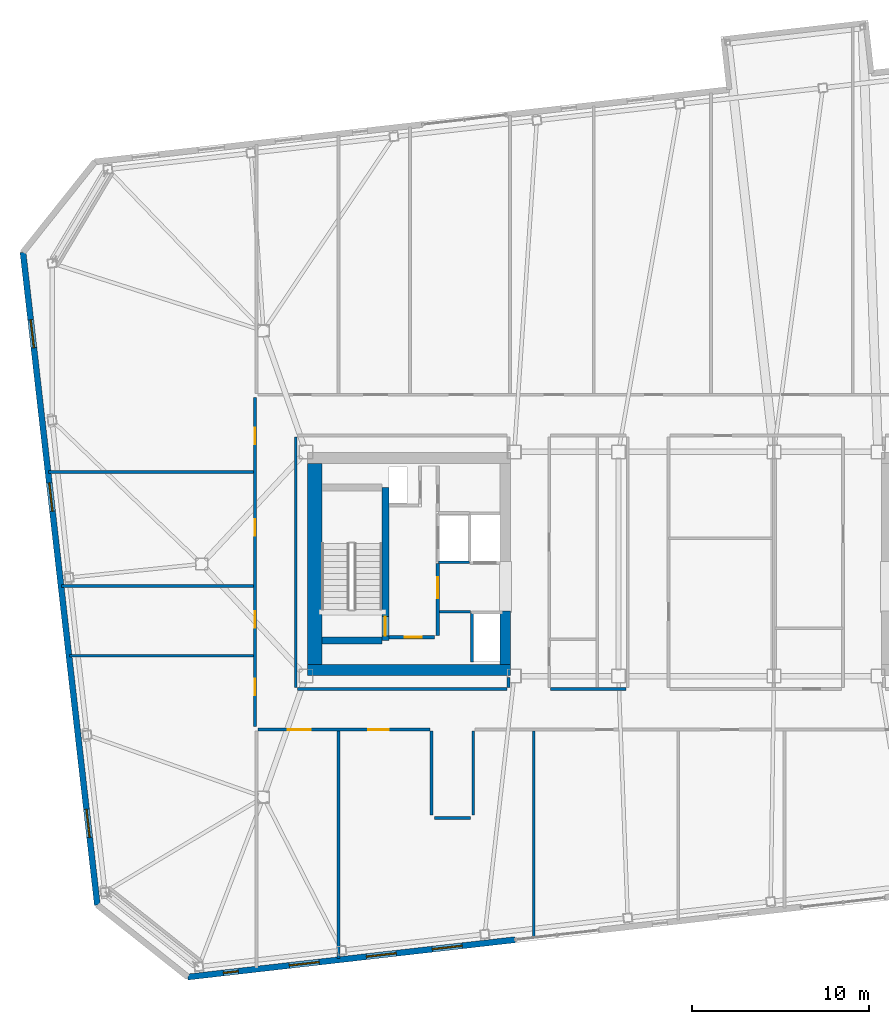
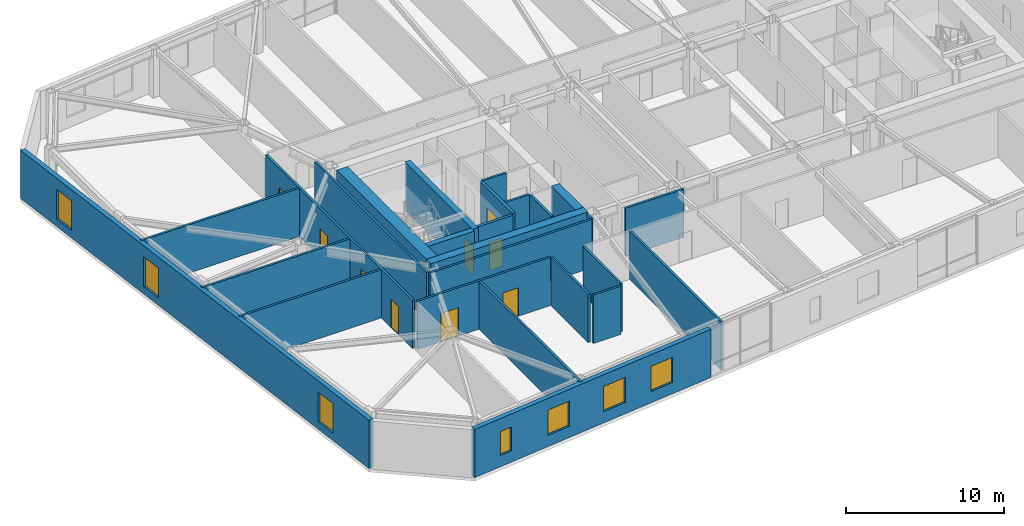
# One storey, part 12 of 19: 26 walls, 9 doors, 7 windows, 16 openings.
"""IFC4 building model written with IfcOpenShell, lengths in metres."""

from ifc_helpers import new_model, si_unit, direction, frame, frame_2d, origin, place, context, subcontext, project, spatial, rectangle, extrude, material, layer, layer_set, type_object, element, fill, save


model = new_model("IFC4")

# Units and contexts
model_context = context("Model", 3, precision=1e-05, world=origin(), true_north=direction((0.0, 1.0)))
body_context = subcontext(model_context, "Body", "Model", "MODEL_VIEW")
ifc_project = project(units=[si_unit("LENGTHUNIT", "METRE"), si_unit("AREAUNIT", "SQUARE_METRE"), si_unit("VOLUMEUNIT", "CUBIC_METRE"), si_unit("PLANEANGLEUNIT", "RADIAN"), si_unit("MASSUNIT", "GRAM", prefix="KILO")], contexts=[model_context])

# Site, building, storey
site_placement = place(None, origin())
site = spatial("IfcSite", under=ifc_project, at=site_placement, CompositionType="ELEMENT")
building_placement = place(site_placement, origin())
building = spatial("IfcBuilding", under=site, at=building_placement, Name="Tavrogorsk Clinical Tower", CompositionType="ELEMENT")
storey_placement = place(building_placement, frame((0.0, 0.0, 243.0)))
storey = spatial("IfcBuildingStorey", under=building, at=storey_placement, Name="L56", CompositionType="ELEMENT", Elevation=243.0)

# Wall, opening, door
ifc_material_1 = material(Name="Concrete B60", Category="concrete")
ifc_layer_1 = layer(ifc_material_1, 0.199951171875)
ifc_layer_set_1 = layer_set([ifc_layer_1], Name="Concrete B60")
wall_type_1 = type_object("IfcWallType", Name="CoreFireWall_200", PredefinedType="SOLIDWALL", material=ifc_layer_set_1)
wall_1_placement = place(storey_placement, frame((-17.3798828125, -4.139892578125, 0.0), z_axis=(0.0, 0.0, 1.0), x_axis=(1.0, 0.0, 0.0)))
wall_1 = element("IfcWall", 1, at=wall_1_placement, inside=storey, type_object=wall_type_1, Name="L56 Core West South Core Room Fire Wall", PredefinedType="SOLIDWALL", context=body_context, shape_type="SweptSolid", body=[
    extrude(rectangle(XDim=2.554931640625, YDim=0.199951171875, at=frame_2d((1.27734375, 0.0))), origin(), (0.0, 0.0, 1.0), 3.739990234375),
])
opening_1_placement = place(wall_1_placement, frame((0.8798828125, 0.0, 0.0)))
opening_1 = element("IfcOpeningElement", 2, at=opening_1_placement, cuts=wall_1, Name="Opening ID-02", PredefinedType="OPENING", context=body_context, shape_type="SweptSolid", body=[
    extrude(rectangle(XDim=0.949951171875, YDim=2.199951171875, at=frame_2d((0.47509765625, 1.10009765625))), frame((0.0, 0.10986328125, 0.0), z_axis=(0.0, -1.0, 0.0), x_axis=(1.0, 0.0, 0.0)), (0.0, 0.0, 1.0), 0.219970703125),
])
ifc_material_2 = material(Name="Laminated timber leaf on aluminium frame", Category="wood")
door_type_1 = type_object("IfcDoorType", Name="InteriorDoor_ID02_950", OperationType="NOTDEFINED", PredefinedType="DOOR", material=ifc_material_2)
door_1_placement = place(opening_1_placement, origin())
door_1 = element("IfcDoor", 3, at=door_1_placement, inside=storey, type_object=door_type_1, Name="L56 Core West South Core Room Door", OperationType="SINGLE_SWING_RIGHT", OverallHeight=2.199951171875, OverallWidth=0.949951171875, PredefinedType="DOOR", context=body_context, shape_type="SweptSolid", body=[
    extrude(rectangle(XDim=0.949951171875, YDim=2.199951171875, at=frame_2d((0.47509765625, 1.10009765625))), frame((0.0, 0.02490234375, 0.0), z_axis=(0.0, -1.0, 0.0), x_axis=(1.0, 0.0, 0.0)), (0.0, 0.0, 1.0), 0.050048828125),
])
fill(opening_1, door_1)

wall_2_placement = place(storey_placement, frame((-14.639892578125, -4.034912109375, 0.0), z_axis=(0.0, 0.0, 1.0), x_axis=(0.0, 1.0, 0.0)))
wall_2 = element("IfcWall", 4, at=wall_2_placement, inside=storey, type_object=wall_type_1, Name="L56 Core West Firefighting Lobby Fire Wall", PredefinedType="SOLIDWALL", context=body_context, shape_type="SweptSolid", body=[
    extrude(rectangle(XDim=4.074951171875, YDim=0.199951171875, at=frame_2d((2.03759765625, 0.0))), origin(), (0.0, 0.0, 1.0), 3.739990234375),
])
opening_2_placement = place(wall_2_placement, frame((2.090087890625, 0.0, 0.0)))
opening_2 = element("IfcOpeningElement", 5, at=opening_2_placement, cuts=wall_2, Name="Opening FD-01", PredefinedType="OPENING", context=body_context, shape_type="SweptSolid", body=[
    extrude(rectangle(XDim=1.199951171875, YDim=2.199951171875, at=frame_2d((0.60009765625, 1.10009765625))), frame((0.0, 0.10986328125, 0.0), z_axis=(0.0, -1.0, 0.0), x_axis=(1.0, 0.0, 0.0)), (0.0, 0.0, 1.0), 0.219970703125),
])
ifc_material_3 = material(Name="Galvanised steel fire-rated door assembly", Category="steel")
door_type_2 = type_object("IfcDoorType", Name="FireDoor_FD01_1200", OperationType="NOTDEFINED", PredefinedType="DOOR", material=ifc_material_3)
door_2_placement = place(opening_2_placement, origin())
door_2 = element("IfcDoor", 6, at=door_2_placement, inside=storey, type_object=door_type_2, Name="L56 Core West Firefighting Lobby Entry Door", OperationType="SINGLE_SWING_RIGHT", OverallHeight=2.199951171875, OverallWidth=1.199951171875, PredefinedType="DOOR", context=body_context, shape_type="SweptSolid", body=[
    extrude(rectangle(XDim=1.199951171875, YDim=2.199951171875, at=frame_2d((0.60009765625, 1.10009765625))), frame((0.0, 0.02490234375, 0.0), z_axis=(0.0, -1.0, 0.0), x_axis=(1.0, 0.0, 0.0)), (0.0, 0.0, 1.0), 0.050048828125),
])
fill(opening_2, door_2)

# Wall
ifc_material_4 = material(Name="Lightweight concrete blockwork B15", Category="masonry")
ifc_layer_2 = layer(ifc_material_4, 0.159912109375)
ifc_layer_set_2 = layer_set([ifc_layer_2], Name="Lightweight concrete blockwork B15")
wall_type_2 = type_object("IfcWallType", Name="PartitionWall_160", PredefinedType="PARTITIONING", material=ifc_layer_set_2)
wall_3_placement = place(storey_placement, frame((-14.534912109375, -2.699951171875, 0.0), z_axis=(0.0, 0.0, 1.0), x_axis=(1.0, 0.0, 0.0)))
element("IfcWall", 7, at=wall_3_placement, inside=storey, type_object=wall_type_2, Name="L56 Core West Freed Low-Bank North Partition", PredefinedType="PARTITIONING", context=body_context, shape_type="SweptSolid", body=[
    extrude(rectangle(XDim=1.760009765625, YDim=0.159912109375, at=frame_2d((0.8798828125, 0.0))), origin(), (0.0, 0.0, 1.0), 3.739990234375),
])

# Wall, openings, doors
wall_4_placement = place(storey_placement, frame((-24.97998046875, -9.215087890625, 0.0), z_axis=(0.0, 0.0, 1.0), x_axis=(0.0, 1.0, 0.0)))
wall_4 = element("IfcWall", 8, at=wall_4_placement, inside=storey, type_object=wall_type_2, Name="L56 Corridor Partition 01", PredefinedType="PARTITIONING", context=body_context, shape_type="SweptSolid", body=[
    extrude(rectangle(XDim=18.630126953125, YDim=0.159912109375, at=frame_2d((9.31494140625, 0.0))), origin(), (0.0, 0.0, 1.0), 3.739990234375),
])
opening_3_placement = place(wall_4_placement, frame((1.76904296875, 0.0, 0.0)))
opening_3 = element("IfcOpeningElement", 9, at=opening_3_placement, cuts=wall_4, Name="Opening ID-02", PredefinedType="OPENING", context=body_context, shape_type="SweptSolid", body=[
    extrude(rectangle(XDim=0.949951171875, YDim=2.199951171875, at=frame_2d((0.47509765625, 1.10009765625))), frame((0.0, 0.08984375, 0.0), z_axis=(0.0, -1.0, 0.0), x_axis=(1.0, 0.0, 0.0)), (0.0, 0.0, 1.0), 0.179931640625),
])
opening_4_placement = place(wall_4_placement, frame((5.60009765625, 0.0, 0.0)))
opening_4 = element("IfcOpeningElement", 10, at=opening_4_placement, cuts=wall_4, Name="Opening ID-02", PredefinedType="OPENING", context=body_context, shape_type="SweptSolid", body=[
    extrude(rectangle(XDim=0.949951171875, YDim=2.199951171875, at=frame_2d((0.47509765625, 1.10009765625))), frame((0.0, 0.08984375, 0.0), z_axis=(0.0, -1.0, 0.0), x_axis=(1.0, 0.0, 0.0)), (0.0, 0.0, 1.0), 0.179931640625),
])
opening_5_placement = place(wall_4_placement, frame((10.800048828125, 0.0, 0.0)))
opening_5 = element("IfcOpeningElement", 11, at=opening_5_placement, cuts=wall_4, Name="Opening ID-02", PredefinedType="OPENING", context=body_context, shape_type="SweptSolid", body=[
    extrude(rectangle(XDim=0.949951171875, YDim=2.199951171875, at=frame_2d((0.47509765625, 1.10009765625))), frame((0.0, 0.08984375, 0.0), z_axis=(0.0, -1.0, 0.0), x_axis=(1.0, 0.0, 0.0)), (0.0, 0.0, 1.0), 0.179931640625),
])
opening_6_placement = place(wall_4_placement, frame((15.98095703125, 0.0, 0.0)))
opening_6 = element("IfcOpeningElement", 12, at=opening_6_placement, cuts=wall_4, Name="Opening ID-02", PredefinedType="OPENING", context=body_context, shape_type="SweptSolid", body=[
    extrude(rectangle(XDim=0.949951171875, YDim=2.199951171875, at=frame_2d((0.47509765625, 1.10009765625))), frame((0.0, 0.08984375, 0.0), z_axis=(0.0, -1.0, 0.0), x_axis=(1.0, 0.0, 0.0)), (0.0, 0.0, 1.0), 0.179931640625),
])
door_3_placement = place(opening_3_placement, origin())
door_3 = element("IfcDoor", 13, at=door_3_placement, inside=storey, type_object=door_type_1, Name="L56 W Solarium Day Room & Lounge 1 Door", OperationType="SINGLE_SWING_RIGHT", OverallHeight=2.199951171875, OverallWidth=0.949951171875, PredefinedType="DOOR", context=body_context, shape_type="SweptSolid", body=[
    extrude(rectangle(XDim=0.949951171875, YDim=2.199951171875, at=frame_2d((0.47509765625, 1.10009765625))), frame((0.0, 0.02490234375, 0.0), z_axis=(0.0, -1.0, 0.0), x_axis=(1.0, 0.0, 0.0)), (0.0, 0.0, 1.0), 0.050048828125),
])
fill(opening_3, door_3)
door_4_placement = place(opening_4_placement, origin())
door_4 = element("IfcDoor", 14, at=door_4_placement, inside=storey, type_object=door_type_1, Name="L56 W Rehabilitation Therapy Suite 2 Door", OperationType="SINGLE_SWING_LEFT", OverallHeight=2.199951171875, OverallWidth=0.949951171875, PredefinedType="DOOR", context=body_context, shape_type="SweptSolid", body=[
    extrude(rectangle(XDim=0.949951171875, YDim=2.199951171875, at=frame_2d((0.47509765625, 1.10009765625))), frame((0.0, 0.02490234375, 0.0), z_axis=(0.0, -1.0, 0.0), x_axis=(1.0, 0.0, 0.0)), (0.0, 0.0, 1.0), 0.050048828125),
])
fill(opening_4, door_4)
door_5_placement = place(opening_5_placement, origin())
door_5 = element("IfcDoor", 15, at=door_5_placement, inside=storey, type_object=door_type_1, Name="L56 W Sub-Acute Observation Suite 3 Door", OperationType="SINGLE_SWING_RIGHT", OverallHeight=2.199951171875, OverallWidth=0.949951171875, PredefinedType="DOOR", context=body_context, shape_type="SweptSolid", body=[
    extrude(rectangle(XDim=0.949951171875, YDim=2.199951171875, at=frame_2d((0.47509765625, 1.10009765625))), frame((0.0, 0.02490234375, 0.0), z_axis=(0.0, -1.0, 0.0), x_axis=(1.0, 0.0, 0.0)), (0.0, 0.0, 1.0), 0.050048828125),
])
fill(opening_5, door_5)
door_6_placement = place(opening_6_placement, origin())
door_6 = element("IfcDoor", 16, at=door_6_placement, inside=storey, type_object=door_type_1, Name="L56 W Family Consultation Lounge 4 Door", OperationType="SINGLE_SWING_LEFT", OverallHeight=2.199951171875, OverallWidth=0.949951171875, PredefinedType="DOOR", context=body_context, shape_type="SweptSolid", body=[
    extrude(rectangle(XDim=0.949951171875, YDim=2.199951171875, at=frame_2d((0.47509765625, 1.10009765625))), frame((0.0, 0.02490234375, 0.0), z_axis=(0.0, -1.0, 0.0), x_axis=(1.0, 0.0, 0.0)), (0.0, 0.0, 1.0), 0.050048828125),
])
fill(opening_6, door_6)

# Walls
wall_5_placement = place(storey_placement, frame((-12.6201171875, -9.465087890625, 0.0), z_axis=(0.0, 0.0, 1.0), x_axis=(0.0, -1.0, 0.0)))
element("IfcWall", 17, at=wall_5_placement, inside=storey, type_object=wall_type_2, Name="L56 Corridor Partition 05", PredefinedType="PARTITIONING", context=body_context, shape_type="SweptSolid", body=[
    extrude(rectangle(XDim=4.75, YDim=0.159912109375, at=frame_2d((2.375, 0.0))), origin(), (0.0, 0.0, 1.0), 3.739990234375),
])
wall_6_placement = place(storey_placement, frame((-12.784912109375, -14.3798828125, 0.0), z_axis=(0.0, 0.0, 1.0), x_axis=(-1.0, 0.0, 0.0)))
element("IfcWall", 18, at=wall_6_placement, inside=storey, type_object=wall_type_2, Name="L56 Corridor Partition 06", PredefinedType="PARTITIONING", context=body_context, shape_type="SweptSolid", body=[
    extrude(rectangle(XDim=2.030029296875, YDim=0.159912109375, at=frame_2d((1.01513671875, 0.0))), origin(), (0.0, 0.0, 1.0), 3.739990234375),
])
wall_7_placement = place(storey_placement, frame((-14.97998046875, -14.215087890625, 0.0), z_axis=(0.0, 0.0, 1.0), x_axis=(0.0, 1.0, 0.0)))
element("IfcWall", 19, at=wall_7_placement, inside=storey, type_object=wall_type_2, Name="L56 Corridor Partition 07", PredefinedType="PARTITIONING", context=body_context, shape_type="SweptSolid", body=[
    extrude(rectangle(XDim=4.75, YDim=0.159912109375, at=frame_2d((2.375, 0.0))), origin(), (0.0, 0.0, 1.0), 3.739990234375),
])

# Wall, openings, doors
wall_8_placement = place(storey_placement, frame((-15.06494140625, -9.3798828125, 0.0), z_axis=(0.0, 0.0, 1.0), x_axis=(-1.0, 0.0, 0.0)))
wall_8 = element("IfcWall", 20, at=wall_8_placement, inside=storey, type_object=wall_type_2, Name="L56 Corridor Partition 08", PredefinedType="PARTITIONING", context=body_context, shape_type="SweptSolid", body=[
    extrude(rectangle(XDim=9.75, YDim=0.159912109375, at=frame_2d((4.875, 0.0))), origin(), (0.0, 0.0, 1.0), 3.739990234375),
])
opening_7_placement = place(wall_8_placement, frame((6.7509765625, 0.0, 0.0)))
opening_7 = element("IfcOpeningElement", 21, at=opening_7_placement, cuts=wall_8, Name="Opening ID-01", PredefinedType="OPENING", context=body_context, shape_type="SweptSolid", body=[
    extrude(rectangle(XDim=1.300048828125, YDim=2.199951171875, at=frame_2d((0.64990234375, 1.10009765625))), frame((0.0, 0.08984375, 0.0), z_axis=(0.0, -1.0, 0.0), x_axis=(1.0, 0.0, 0.0)), (0.0, 0.0, 1.0), 0.179931640625),
])
opening_8_placement = place(wall_8_placement, frame((2.35400390625, 0.0, 0.0)))
opening_8 = element("IfcOpeningElement", 22, at=opening_8_placement, cuts=wall_8, Name="Opening ID-06", PredefinedType="OPENING", context=body_context, shape_type="SweptSolid", body=[
    extrude(rectangle(XDim=1.14990234375, YDim=2.199951171875, at=frame_2d((0.574951171875, 1.10009765625))), frame((0.0, 0.08984375, 0.0), z_axis=(0.0, -1.0, 0.0), x_axis=(1.0, 0.0, 0.0)), (0.0, 0.0, 1.0), 0.179931640625),
])
ifc_material_5 = material(Name="Antibacterial HPL procedure door on aluminium frame", Category="aluminium")
door_type_3 = type_object("IfcDoorType", Name="LabDoor_ID06_1150", OperationType="NOTDEFINED", PredefinedType="DOOR", material=ifc_material_5)
door_7_placement = place(opening_8_placement, origin())
door_7 = element("IfcDoor", 23, at=door_7_placement, inside=storey, type_object=door_type_3, Name="L56 South Clean Medication & Prep Room 02 Door", OperationType="SINGLE_SWING_LEFT", OverallHeight=2.199951171875, OverallWidth=1.14990234375, PredefinedType="DOOR", context=body_context, shape_type="SweptSolid", body=[
    extrude(rectangle(XDim=1.14990234375, YDim=2.199951171875, at=frame_2d((0.574951171875, 1.10009765625))), frame((0.0, 0.02490234375, 0.0), z_axis=(0.0, -1.0, 0.0), x_axis=(1.0, 0.0, 0.0)), (0.0, 0.0, 1.0), 0.050048828125),
])
fill(opening_8, door_7)
ifc_material_6 = material(Name="Antibacterial HPL medical leaf on aluminium frame", Category="aluminium")
door_type_4 = type_object("IfcDoorType", Name="WardBedDoor_ID01_1300", OperationType="NOTDEFINED", PredefinedType="DOOR", material=ifc_material_6)
door_8_placement = place(opening_7_placement, origin())
door_8 = element("IfcDoor", 24, at=door_8_placement, inside=storey, type_object=door_type_4, Name="L56 South Acute Medical Ward 01 Door", OperationType="SINGLE_SWING_RIGHT", OverallHeight=2.199951171875, OverallWidth=1.300048828125, PredefinedType="DOOR", context=body_context, shape_type="SweptSolid", body=[
    extrude(rectangle(XDim=1.300048828125, YDim=2.199951171875, at=frame_2d((0.64990234375, 1.10009765625))), frame((0.0, 0.02490234375, 0.0), z_axis=(0.0, -1.0, 0.0), x_axis=(1.0, 0.0, 0.0)), (0.0, 0.0, 1.0), 0.050048828125),
])
fill(opening_7, door_8)

# Walls
wall_9_placement = place(storey_placement, frame((-8.235107421875, -7.070068359375, 0.0), z_axis=(0.0, 0.0, 1.0), x_axis=(1.0, 0.0, 0.0)))
element("IfcWall", 25, at=wall_9_placement, inside=storey, type_object=wall_type_2, Name="L56 Corridor Partition 21", PredefinedType="PARTITIONING", context=body_context, shape_type="SweptSolid", body=[
    extrude(rectangle(XDim=4.27001953125, YDim=0.159912109375, at=frame_2d((2.135009765625, 0.0))), origin(), (0.0, 0.0, 1.0), 3.739990234375),
])
wall_10_placement = place(storey_placement, frame((-10.6298828125, -6.985107421875, 0.0), z_axis=(0.0, 0.0, 1.0), x_axis=(0.0, 1.0, 0.0)))
element("IfcWall", 26, at=wall_10_placement, inside=storey, type_object=wall_type_2, Name="L56 Corridor Partition 22", PredefinedType="PARTITIONING", context=body_context, shape_type="SweptSolid", body=[
    extrude(rectangle(XDim=0.565185546875, YDim=0.159912109375, at=frame_2d((0.28271484375, 0.0))), origin(), (0.0, 0.0, 1.0), 3.739990234375),
])
wall_11_placement = place(storey_placement, frame((-22.669921875, 7.18505859375, 0.0), z_axis=(0.0, 0.0, 1.0), x_axis=(0.0, -1.0, 0.0)))
element("IfcWall", 27, at=wall_11_placement, inside=storey, type_object=wall_type_2, Name="L56 Corridor Partition 25", PredefinedType="PARTITIONING", context=body_context, shape_type="SweptSolid", body=[
    extrude(rectangle(XDim=14.170166015625, YDim=0.159912109375, at=frame_2d((7.0849609375, 0.0))), origin(), (0.0, 0.0, 1.0), 3.739990234375),
])
wall_12_placement = place(storey_placement, frame((-22.5849609375, -7.070068359375, 0.0), z_axis=(0.0, 0.0, 1.0), x_axis=(1.0, 0.0, 0.0)))
element("IfcWall", 28, at=wall_12_placement, inside=storey, type_object=wall_type_2, Name="L56 Corridor Partition 26", PredefinedType="PARTITIONING", context=body_context, shape_type="SweptSolid", body=[
    extrude(rectangle(XDim=11.869873046875, YDim=0.159912109375, at=frame_2d((5.93505859375, 0.0))), origin(), (0.0, 0.0, 1.0), 3.739990234375),
])
wall_13_placement = place(storey_placement, frame((-20.25, -22.343505859375, 0.0), z_axis=(0.0, 0.0, 1.0), x_axis=(0.0, 1.0, 0.0)))
element("IfcWall", 29, at=wall_13_placement, inside=storey, type_object=wall_type_2, Name="L56 South Room Partition 1", PredefinedType="PARTITIONING", context=body_context, shape_type="SweptSolid", body=[
    extrude(rectangle(XDim=12.87841796875, YDim=0.159912109375, at=frame_2d((6.439208984375, 0.0))), origin(), (0.0, 0.0, 1.0), 3.739990234375),
])
wall_14_placement = place(storey_placement, frame((-9.199951171875, -21.084716796875, 0.0), z_axis=(0.0, 0.0, 1.0), x_axis=(0.0, 1.0, 0.0)))
element("IfcWall", 30, at=wall_14_placement, inside=storey, type_object=wall_type_2, Name="L56 South Room Partition 2", PredefinedType="PARTITIONING", context=body_context, shape_type="SweptSolid", body=[
    extrude(rectangle(XDim=11.61962890625, YDim=0.159912109375, at=frame_2d((5.809814453125, 0.0))), origin(), (0.0, 0.0, 1.0), 3.739990234375),
])
wall_15_placement = place(storey_placement, frame((-35.494384765625, -5.199951171875, 0.0), z_axis=(0.0, 0.0, 1.0), x_axis=(1.0, 0.0, 0.0)))
element("IfcWall", 31, at=wall_15_placement, inside=storey, type_object=wall_type_2, Name="L56 W Wing Divider 1", PredefinedType="PARTITIONING", context=body_context, shape_type="SweptSolid", body=[
    extrude(rectangle(XDim=10.429443359375, YDim=0.159912109375, at=frame_2d((5.21484375, 0.0))), origin(), (0.0, 0.0, 1.0), 3.739990234375),
])
wall_16_placement = place(storey_placement, frame((-35.944580078125, -1.25, 0.0), z_axis=(0.0, 0.0, 1.0), x_axis=(1.0, 0.0, 0.0)))
element("IfcWall", 32, at=wall_16_placement, inside=storey, type_object=wall_type_2, Name="L56 W Wing Divider 2", PredefinedType="PARTITIONING", context=body_context, shape_type="SweptSolid", body=[
    extrude(rectangle(XDim=10.879638671875, YDim=0.159912109375, at=frame_2d((5.43994140625, 0.0))), origin(), (0.0, 0.0, 1.0), 3.739990234375),
])
wall_17_placement = place(storey_placement, frame((-36.679443359375, 5.199951171875, 0.0), z_axis=(0.0, 0.0, 1.0), x_axis=(1.0, 0.0, 0.0)))
element("IfcWall", 33, at=wall_17_placement, inside=storey, type_object=wall_type_2, Name="L56 W Wing Divider 3", PredefinedType="PARTITIONING", context=body_context, shape_type="SweptSolid", body=[
    extrude(rectangle(XDim=11.614501953125, YDim=0.159912109375, at=frame_2d((5.80712890625, 0.0))), origin(), (0.0, 0.0, 1.0), 3.739990234375),
])

# Wall, openings, windows
ifc_material_7 = material(Name="Precast concrete B45 with limestone cladding", Category="masonry")
ifc_layer_3 = layer(ifc_material_7, 0.340087890625)
ifc_layer_set_3 = layer_set([ifc_layer_3], Name="Precast concrete B45 with limestone cladding")
wall_type_3 = type_object("IfcWallType", Name="PrecastLimestoneWall_340", PredefinedType="STANDARD", material=ifc_layer_set_3)
wall_18_placement = place(storey_placement, frame((-28.78271484375, -23.38623046875, 0.0), z_axis=(0.0, 0.0, 1.0), x_axis=(0.993572271362, 0.113199565282, 0.0)))
wall_18 = element("IfcWall", 34, at=wall_18_placement, inside=storey, type_object=wall_type_3, Name="L56 S Limestone Facade Wall 1", PredefinedType="STANDARD", context=body_context, shape_type="SweptSolid", body=[
    extrude(rectangle(XDim=18.6513671875, YDim=0.340087890625, at=frame_2d((9.32568359375, 0.0))), origin(), (0.0, 0.0, 1.0), 3.739990234375),
])
opening_9_placement = place(wall_18_placement, frame((2.030029296875, 0.0, 0.8798828125)))
opening_9 = element("IfcOpeningElement", 35, at=opening_9_placement, cuts=wall_18, Name="Opening WN-06", PredefinedType="OPENING", context=body_context, shape_type="SweptSolid", body=[
    extrude(rectangle(XDim=0.85009765625, YDim=1.85009765625, at=frame_2d((0.425048828125, 0.925048828125))), frame((0.0, 0.179931640625, 0.0), z_axis=(0.0, -1.0, 0.0), x_axis=(1.0, 0.0, 0.0)), (0.0, 0.0, 1.0), 0.360107421875),
])
opening_10_placement = place(wall_18_placement, frame((5.778564453125, 0.0, 0.8798828125)))
opening_10 = element("IfcOpeningElement", 36, at=opening_10_placement, cuts=wall_18, Name="Opening WN-15", PredefinedType="OPENING", context=body_context, shape_type="SweptSolid", body=[
    extrude(rectangle(XDim=1.699951171875, YDim=1.949951171875, at=frame_2d((0.85009765625, 0.97509765625))), frame((0.0, 0.179931640625, 0.0), z_axis=(0.0, -1.0, 0.0), x_axis=(1.0, 0.0, 0.0)), (0.0, 0.0, 1.0), 0.360107421875),
])
opening_11_placement = place(wall_18_placement, frame((10.1787109375, 0.0, 0.8798828125)))
opening_11 = element("IfcOpeningElement", 37, at=opening_11_placement, cuts=wall_18, Name="Opening WN-15", PredefinedType="OPENING", context=body_context, shape_type="SweptSolid", body=[
    extrude(rectangle(XDim=1.699951171875, YDim=1.949951171875, at=frame_2d((0.85009765625, 0.97509765625))), frame((0.0, 0.179931640625, 0.0), z_axis=(0.0, -1.0, 0.0), x_axis=(1.0, 0.0, 0.0)), (0.0, 0.0, 1.0), 0.360107421875),
])
opening_12_placement = place(wall_18_placement, frame((13.927001953125, 0.0, 0.8798828125)))
opening_12 = element("IfcOpeningElement", 38, at=opening_12_placement, cuts=wall_18, Name="Opening WN-15", PredefinedType="OPENING", context=body_context, shape_type="SweptSolid", body=[
    extrude(rectangle(XDim=1.699951171875, YDim=1.949951171875, at=frame_2d((0.85009765625, 0.97509765625))), frame((0.0, 0.179931640625, 0.0), z_axis=(0.0, -1.0, 0.0), x_axis=(1.0, 0.0, 0.0)), (0.0, 0.0, 1.0), 0.360107421875),
])
ifc_material_8 = material(Name="Thermally broken aluminium frame and triple IGU", Category="aluminium")
window_type_1 = type_object("IfcWindowType", Name="MullionSubWin_850x1850", PartitioningType="SINGLE_PANEL", PredefinedType="WINDOW", material=ifc_material_8)
window_1_placement = place(opening_9_placement, origin())
window_1 = element("IfcWindow", 39, at=window_1_placement, inside=storey, type_object=window_type_1, Name="L56 S Mullion Split Window 01A", OverallHeight=1.85009765625, OverallWidth=0.85009765625, PartitioningType="SINGLE_PANEL", PredefinedType="WINDOW", context=body_context, shape_type="SweptSolid", body=[
    extrude(rectangle(XDim=0.85009765625, YDim=1.85009765625, at=frame_2d((0.425048828125, 0.925048828125))), frame((0.0, 0.030029296875, 0.0), z_axis=(0.0, -1.0, 0.0), x_axis=(1.0, 0.0, 0.0)), (0.0, 0.0, 1.0), 0.06005859375),
])
fill(opening_9, window_1)
ifc_material_9 = material(Name="Thermally broken aluminium frame and triple IGU", Category="aluminium")
window_type_2 = type_object("IfcWindowType", Name="OfficeChicagoWin_1700x1950", PartitioningType="SINGLE_PANEL", PredefinedType="WINDOW", material=ifc_material_9)
window_2_placement = place(opening_10_placement, origin())
window_2 = element("IfcWindow", 40, at=window_2_placement, inside=storey, type_object=window_type_2, Name="L56 S Chicago Window 02", OverallHeight=1.949951171875, OverallWidth=1.699951171875, PartitioningType="SINGLE_PANEL", PredefinedType="WINDOW", context=body_context, shape_type="SweptSolid", body=[
    extrude(rectangle(XDim=1.699951171875, YDim=1.949951171875, at=frame_2d((0.85009765625, 0.97509765625))), frame((0.0, 0.030029296875, 0.0), z_axis=(0.0, -1.0, 0.0), x_axis=(1.0, 0.0, 0.0)), (0.0, 0.0, 1.0), 0.06005859375),
])
fill(opening_10, window_2)
window_3_placement = place(opening_11_placement, origin())
window_3 = element("IfcWindow", 41, at=window_3_placement, inside=storey, type_object=window_type_2, Name="L56 S Chicago Window 03", OverallHeight=1.949951171875, OverallWidth=1.699951171875, PartitioningType="SINGLE_PANEL", PredefinedType="WINDOW", context=body_context, shape_type="SweptSolid", body=[
    extrude(rectangle(XDim=1.699951171875, YDim=1.949951171875, at=frame_2d((0.85009765625, 0.97509765625))), frame((0.0, 0.030029296875, 0.0), z_axis=(0.0, -1.0, 0.0), x_axis=(1.0, 0.0, 0.0)), (0.0, 0.0, 1.0), 0.06005859375),
])
fill(opening_11, window_3)
window_4_placement = place(opening_12_placement, origin())
window_4 = element("IfcWindow", 42, at=window_4_placement, inside=storey, type_object=window_type_2, Name="L56 S Chicago Window 04", OverallHeight=1.949951171875, OverallWidth=1.699951171875, PartitioningType="SINGLE_PANEL", PredefinedType="WINDOW", context=body_context, shape_type="SweptSolid", body=[
    extrude(rectangle(XDim=1.699951171875, YDim=1.949951171875, at=frame_2d((0.85009765625, 0.97509765625))), frame((0.0, 0.030029296875, 0.0), z_axis=(0.0, -1.0, 0.0), x_axis=(1.0, 0.0, 0.0)), (0.0, 0.0, 1.0), 0.06005859375),
])
fill(opening_12, window_4)

wall_19_placement = place(storey_placement, frame((-38.1181640625, 17.65087890625, 0.0), z_axis=(0.0, 0.0, 1.0), x_axis=(0.11320360501, -0.9935718111, 0.0)))
wall_19 = element("IfcWall", 43, at=wall_19_placement, inside=storey, type_object=wall_type_3, Name="L56 W Pleated Limestone Wing Wall", PredefinedType="STANDARD", context=body_context, shape_type="SweptSolid", body=[
    extrude(rectangle(XDim=37.199951171875, YDim=0.340087890625, at=frame_2d((18.60009765625, 0.0))), origin(), (0.0, 0.0, 1.0), 3.739990234375),
])
opening_13_placement = place(wall_19_placement, frame((3.85009765625, 0.0, 0.580078125)))
opening_13 = element("IfcOpeningElement", 44, at=opening_13_placement, cuts=wall_19, Name="Opening WN-07", PredefinedType="OPENING", context=body_context, shape_type="SweptSolid", body=[
    extrude(rectangle(XDim=1.60009765625, YDim=2.300048828125, at=frame_2d((0.800048828125, 1.14990234375))), frame((0.0, 0.179931640625, 0.0), z_axis=(0.0, -1.0, 0.0), x_axis=(1.0, 0.0, 0.0)), (0.0, 0.0, 1.0), 0.360107421875),
])
opening_14_placement = place(wall_19_placement, frame((13.14990234375, 0.0, 0.580078125)))
opening_14 = element("IfcOpeningElement", 45, at=opening_14_placement, cuts=wall_19, Name="Opening WN-07", PredefinedType="OPENING", context=body_context, shape_type="SweptSolid", body=[
    extrude(rectangle(XDim=1.60009765625, YDim=2.300048828125, at=frame_2d((0.800048828125, 1.14990234375))), frame((0.0, 0.179931640625, 0.0), z_axis=(0.0, -1.0, 0.0), x_axis=(1.0, 0.0, 0.0)), (0.0, 0.0, 1.0), 0.360107421875),
])
opening_15_placement = place(wall_19_placement, frame((31.75, 0.0, 0.580078125)))
opening_15 = element("IfcOpeningElement", 46, at=opening_15_placement, cuts=wall_19, Name="Opening WN-07", PredefinedType="OPENING", context=body_context, shape_type="SweptSolid", body=[
    extrude(rectangle(XDim=1.60009765625, YDim=2.300048828125, at=frame_2d((0.800048828125, 1.14990234375))), frame((0.0, 0.179931640625, 0.0), z_axis=(0.0, -1.0, 0.0), x_axis=(1.0, 0.0, 0.0)), (0.0, 0.0, 1.0), 0.360107421875),
])
ifc_material_10 = material(Name="Thermally broken aluminium frame and triple IGU", Category="aluminium")
window_type_3 = type_object("IfcWindowType", Name="PleatSlotWin_1600x2300", PartitioningType="SINGLE_PANEL", PredefinedType="WINDOW", material=ifc_material_10)
window_5_placement = place(opening_13_placement, origin())
window_5 = element("IfcWindow", 47, at=window_5_placement, inside=storey, type_object=window_type_3, Name="L56 W Pleat Slot Window 1", OverallHeight=2.300048828125, OverallWidth=1.60009765625, PartitioningType="SINGLE_PANEL", PredefinedType="WINDOW", context=body_context, shape_type="SweptSolid", body=[
    extrude(rectangle(XDim=1.60009765625, YDim=2.300048828125, at=frame_2d((0.800048828125, 1.14990234375))), frame((0.0, 0.030029296875, 0.0), z_axis=(0.0, -1.0, 0.0), x_axis=(1.0, 0.0, 0.0)), (0.0, 0.0, 1.0), 0.06005859375),
])
fill(opening_13, window_5)
window_6_placement = place(opening_14_placement, origin())
window_6 = element("IfcWindow", 48, at=window_6_placement, inside=storey, type_object=window_type_3, Name="L56 W Pleat Slot Window 2", OverallHeight=2.300048828125, OverallWidth=1.60009765625, PartitioningType="SINGLE_PANEL", PredefinedType="WINDOW", context=body_context, shape_type="SweptSolid", body=[
    extrude(rectangle(XDim=1.60009765625, YDim=2.300048828125, at=frame_2d((0.800048828125, 1.14990234375))), frame((0.0, 0.030029296875, 0.0), z_axis=(0.0, -1.0, 0.0), x_axis=(1.0, 0.0, 0.0)), (0.0, 0.0, 1.0), 0.06005859375),
])
fill(opening_14, window_6)
window_7_placement = place(opening_15_placement, origin())
window_7 = element("IfcWindow", 49, at=window_7_placement, inside=storey, type_object=window_type_3, Name="L56 W Pleat Slot Window 4", OverallHeight=2.300048828125, OverallWidth=1.60009765625, PartitioningType="SINGLE_PANEL", PredefinedType="WINDOW", context=body_context, shape_type="SweptSolid", body=[
    extrude(rectangle(XDim=1.60009765625, YDim=2.300048828125, at=frame_2d((0.800048828125, 1.14990234375))), frame((0.0, 0.030029296875, 0.0), z_axis=(0.0, -1.0, 0.0), x_axis=(1.0, 0.0, 0.0)), (0.0, 0.0, 1.0), 0.06005859375),
])
fill(opening_15, window_7)

# Walls
ifc_material_11 = material(Name="Lightweight concrete blockwork B25", Category="masonry")
ifc_layer_4 = layer(ifc_material_11, 0.159912109375)
ifc_layer_set_4 = layer_set([ifc_layer_4], Name="Lightweight concrete blockwork B25")
wall_type_4 = type_object("IfcWallType", Name="ShaftWall_160", PredefinedType="PARTITIONING", material=ifc_layer_set_4)
wall_20_placement = place(storey_placement, frame((-14.60009765625, 0.10009765625, 0.0), z_axis=(0.0, 0.0, 1.0), x_axis=(1.0, 0.0, 0.0)))
element("IfcWall", 50, at=wall_20_placement, inside=storey, type_object=wall_type_4, Name="L56 FFL-W Shaft South Wall", PredefinedType="PARTITIONING", context=body_context, shape_type="SweptSolid", body=[
    extrude(rectangle(XDim=1.760009765625, YDim=0.159912109375, at=frame_2d((0.8798828125, 0.0))), origin(), (0.0, 0.0, 1.0), 3.739990234375),
])
wall_21_placement = place(storey_placement, frame((-12.68994140625, -5.56005859375, 0.0), z_axis=(0.0, 0.0, 1.0), x_axis=(0.0, 1.0, 0.0)))
element("IfcWall", 51, at=wall_21_placement, inside=storey, type_object=wall_type_4, Name="L56 Core West Freed Low-Bank Shaft Divider", PredefinedType="PARTITIONING", context=body_context, shape_type="SweptSolid", body=[
    extrude(rectangle(XDim=2.775146484375, YDim=0.159912109375, at=frame_2d((1.3876953125, 0.0))), origin(), (0.0, 0.0, 1.0), 3.739990234375),
])

# Wall, opening, door
ifc_material_12 = material(Name="Concrete B80", Category="concrete")
ifc_layer_5 = layer(ifc_material_12, 0.39990234375)
ifc_layer_set_5 = layer_set([ifc_layer_5], Name="Concrete B80")
wall_type_5 = type_object("IfcWallType", Name="ShearWall_400", PredefinedType="SHEAR", material=ifc_layer_set_5)
wall_22_placement = place(storey_placement, frame((-17.60009765625, -4.324951171875, 0.0), z_axis=(0.0, 0.0, 1.0), x_axis=(0.0, 1.0, 0.0)))
wall_22 = element("IfcWall", 52, at=wall_22_placement, inside=storey, type_object=wall_type_5, Name="L56 Core West Stair Shaft Inner Shear Wall", PredefinedType="SHEAR", context=body_context, shape_type="SweptSolid", body=[
    extrude(rectangle(XDim=8.64990234375, YDim=0.39990234375, at=frame_2d((4.324951171875, 0.0))), origin(), (0.0, 0.0, 1.0), 3.739990234375),
])
opening_16_placement = place(wall_22_placement, frame((0.25, 0.0, 0.0)))
opening_16 = element("IfcOpeningElement", 53, at=opening_16_placement, cuts=wall_22, Name="Opening SD-01", PredefinedType="OPENING", context=body_context, shape_type="SweptSolid", body=[
    extrude(rectangle(XDim=1.10009765625, YDim=2.199951171875, at=frame_2d((0.550048828125, 1.10009765625))), frame((0.0, 0.2099609375, 0.0), z_axis=(0.0, -1.0, 0.0), x_axis=(1.0, 0.0, 0.0)), (0.0, 0.0, 1.0), 0.419921875),
])
ifc_material_13 = material(Name="Galvanised steel smoke-tight fire door assembly", Category="steel")
door_type_5 = type_object("IfcDoorType", Name="StairFireDoor_SD01_1100", OperationType="NOTDEFINED", PredefinedType="DOOR", material=ifc_material_13)
door_9_placement = place(opening_16_placement, origin())
door_9 = element("IfcDoor", 54, at=door_9_placement, inside=storey, type_object=door_type_5, Name="L56 ST-W Exit Stair Door", OperationType="SINGLE_SWING_LEFT", OverallHeight=2.199951171875, OverallWidth=1.10009765625, PredefinedType="DOOR", context=body_context, shape_type="SweptSolid", body=[
    extrude(rectangle(XDim=1.10009765625, YDim=2.199951171875, at=frame_2d((0.550048828125, 1.10009765625))), frame((0.0, 0.02490234375, 0.0), z_axis=(0.0, -1.0, 0.0), x_axis=(1.0, 0.0, 0.0)), (0.0, 0.0, 1.0), 0.050048828125),
])
fill(opening_16, door_9)

# Walls
wall_23_placement = place(storey_placement, frame((-21.199951171875, -4.324951171875, 0.0), z_axis=(0.0, 0.0, 1.0), x_axis=(1.0, 0.0, 0.0)))
element("IfcWall", 55, at=wall_23_placement, inside=storey, type_object=wall_type_5, Name="L56 Core West Stair Shaft South Shear Wall", PredefinedType="SHEAR", context=body_context, shape_type="SweptSolid", body=[
    extrude(rectangle(XDim=3.39990234375, YDim=0.39990234375, at=frame_2d((1.699951171875, 0.0))), origin(), (0.0, 0.0, 1.0), 3.739990234375),
])
ifc_material_14 = material(Name="Concrete B80", Category="concrete")
ifc_layer_6 = layer(ifc_material_14, 0.60009765625)
ifc_layer_set_6 = layer_set([ifc_layer_6], Name="Concrete B80")
wall_type_6 = type_object("IfcWallType", Name="ShearWall_600", PredefinedType="SHEAR", material=ifc_layer_set_6)
wall_24_placement = place(storey_placement, frame((-22.0, -6.0, 0.0), z_axis=(0.0, 0.0, 1.0), x_axis=(1.0, 0.0, 0.0)))
element("IfcWall", 56, at=wall_24_placement, inside=storey, type_object=wall_type_6, Name="L56 Core West South Shear Wall", PredefinedType="SHEAR", context=body_context, shape_type="SweptSolid", body=[
    extrude(rectangle(XDim=11.5, YDim=0.60009765625, at=frame_2d((5.75, 0.0))), origin(), (0.0, 0.0, 1.0), 3.739990234375),
])
wall_25_placement = place(storey_placement, frame((-10.800048828125, -5.699951171875, 0.0), z_axis=(0.0, 0.0, 1.0), x_axis=(0.0, 1.0, 0.0)))
element("IfcWall", 57, at=wall_25_placement, inside=storey, type_object=wall_type_6, Name="L56 Core West Inner South Pier", PredefinedType="SHEAR", context=body_context, shape_type="SweptSolid", body=[
    extrude(rectangle(XDim=3.050048828125, YDim=0.60009765625, at=frame_2d((1.52490234375, 0.0))), origin(), (0.0, 0.0, 1.0), 3.739990234375),
])
ifc_material_15 = material(Name="Concrete B80", Category="concrete")
ifc_layer_7 = layer(ifc_material_15, 0.800048828125)
ifc_layer_set_7 = layer_set([ifc_layer_7], Name="Concrete B80")
wall_type_7 = type_object("IfcWallType", Name="ShearWall_800", PredefinedType="SHEAR", material=ifc_layer_set_7)
wall_26_placement = place(storey_placement, frame((-21.60009765625, -5.699951171875, 0.0), z_axis=(0.0, 0.0, 1.0), x_axis=(0.0, 1.0, 0.0)))
element("IfcWall", 58, at=wall_26_placement, inside=storey, type_object=wall_type_7, Name="L56 Core West End Shear Wall", PredefinedType="SHEAR", context=body_context, shape_type="SweptSolid", body=[
    extrude(rectangle(XDim=11.39990234375, YDim=0.800048828125, at=frame_2d((5.699951171875, 0.0))), origin(), (0.0, 0.0, 1.0), 3.739990234375),
])

save(model, "model.ifc")
